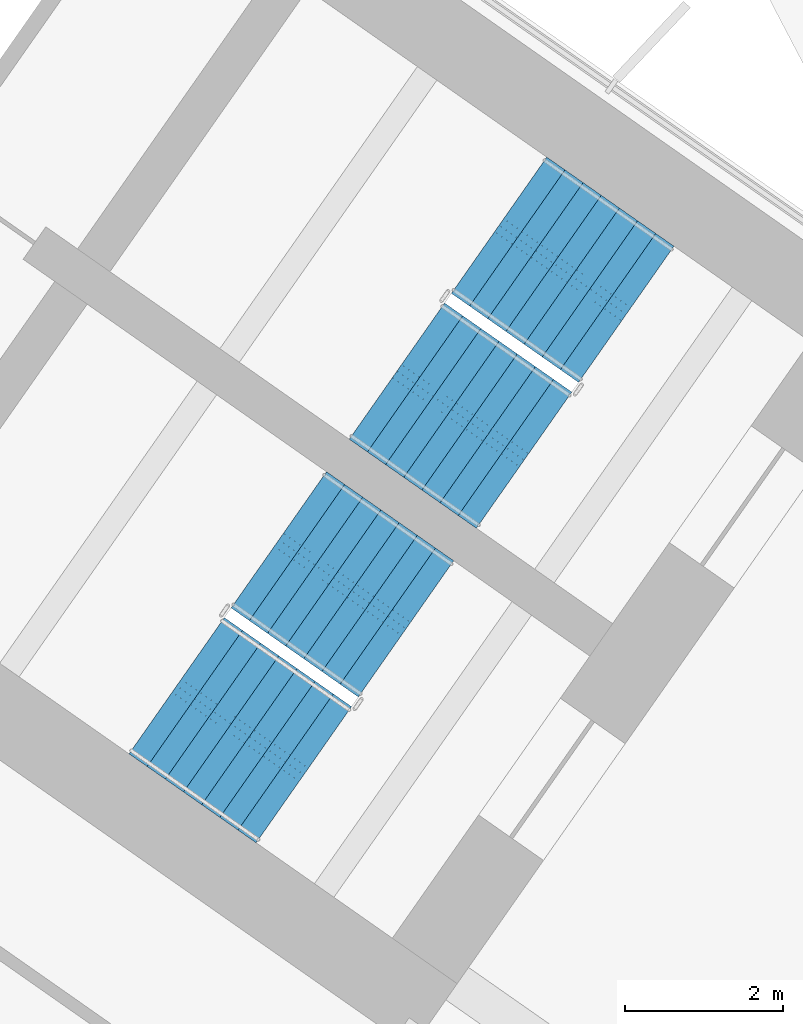
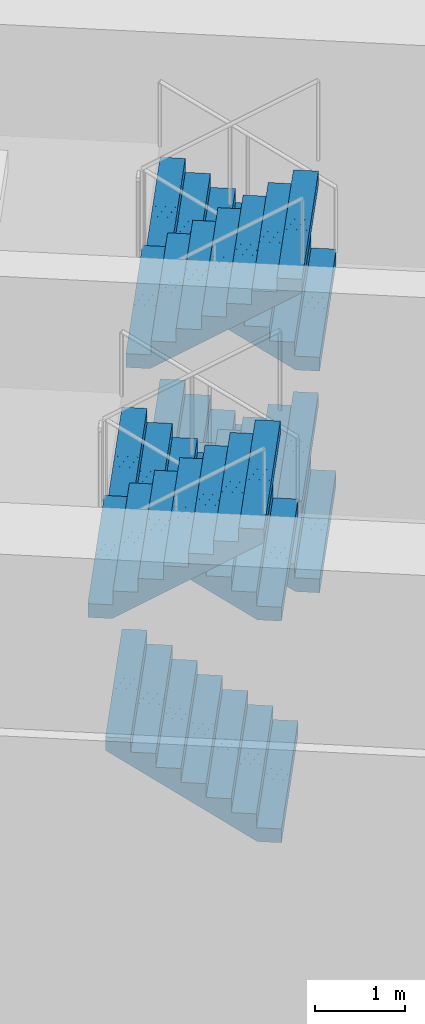
# One storey, part 21 of 27: 7 stair flights, 2 elements without a shape of their own.
"""IFC4 building model written with IfcOpenShell, lengths in metres."""

from ifc_helpers import new_model, si_unit, direction, frame, origin, place, context, subcontext, project, spatial, polyline, outline, extrude, material, type_object, element, aggregate, save


model = new_model("IFC4")

# Units and contexts
model_context = context("Model", 3, precision=1e-05, world=origin(), true_north=direction((0.0, 1.0)))
body_context = subcontext(model_context, "Body", "Model", "MODEL_VIEW")
ifc_project = project(units=[si_unit("LENGTHUNIT", "METRE"), si_unit("AREAUNIT", "SQUARE_METRE"), si_unit("VOLUMEUNIT", "CUBIC_METRE"), si_unit("PLANEANGLEUNIT", "RADIAN"), si_unit("MASSUNIT", "GRAM", prefix="KILO")], contexts=[model_context])

# Site, building, storey
site_placement = place(None, origin())
site = spatial("IfcSite", under=ifc_project, at=site_placement, CompositionType="ELEMENT")
building_placement = place(site_placement, origin())
building = spatial("IfcBuilding", under=site, at=building_placement, Name="Tel Ilan Convention Tower", CompositionType="ELEMENT")
storey_placement = place(building_placement, frame((0.0, 0.0, 48.5)))
storey = spatial("IfcBuildingStorey", under=building, at=storey_placement, Name="L07", CompositionType="ELEMENT", Elevation=48.5)

# Stair, stair flights
ifc_material_1 = material(Name="Concrete C40/50", Category="concrete")
stair_type = type_object("IfcStairType", Name="Pressurised Exit Stair 32 risers 188 mm", PredefinedType="HALF_TURN_STAIR", material=ifc_material_1)
stair_1_placement = place(storey_placement, origin())
stair_1 = element("IfcStair", 1, at=stair_1_placement, inside=storey, type_object=stair_type, Name="L07 Pressurised Stair S3", PredefinedType="HALF_TURN_STAIR")
ifc_material_2 = material(Name="Precast Concrete C40/50", Category="concrete")
stair_flight_type = type_object("IfcStairFlightType", Name="Concrete Stair Flight 2100 mm 32 risers 188 mm", PredefinedType="STRAIGHT", material=ifc_material_2)
stair_flight_1_placement = place(storey_placement, frame((24.25244140625, -7.032470703125, 0.0), z_axis=(0.0, 0.0, 1.0), x_axis=(-0.819152044289, 0.573576436351, 0.0)))
stair_flight_1 = element("IfcStairFlight", 2, at=stair_flight_1_placement, type_object=stair_flight_type, Name="S3 flight 1", NumberOfRisers=8, NumberOfTreads=7, PredefinedType="STRAIGHT", RiserHeight=0.1875, TreadLength=0.28, context=body_context, shape_type="SweptSolid", body=[
    extrude(outline(polyline([(0.0, 0.0), (0.0, 0.1875), (0.280029296875, 0.1875), (0.280029296875, 0.375), (0.56005859375, 0.375), (0.56005859375, 0.5625), (0.840087890625, 0.5625), (0.840087890625, 0.75), (1.1201171875, 0.75), (1.1201171875, 0.9375), (1.39990234375, 0.9375), (1.39990234375, 1.125), (1.679931640625, 1.125), (1.679931640625, 1.3125), (1.9599609375, 1.3125), (1.9599609375, 1.5), (1.9599609375, 1.132080078125), (0.26953125, 0.0), (0.0, 0.0)])), frame((0.0, -0.100341796875, 0.0), z_axis=(0.0, -1.0, 0.0), x_axis=(1.0, 0.0, 0.0)), (0.0, 0.0, 1.0), 0.94970703125),
    extrude(outline(polyline([(0.0, 0.0), (0.0, 0.1875), (0.280029296875, 0.1875), (0.280029296875, 0.375), (0.56005859375, 0.375), (0.56005859375, 0.5625), (0.840087890625, 0.5625), (0.840087890625, 0.75), (1.1201171875, 0.75), (1.1201171875, 0.9375), (1.39990234375, 0.9375), (1.39990234375, 1.125), (1.679931640625, 1.125), (1.679931640625, 1.3125), (1.9599609375, 1.3125), (1.9599609375, 1.5), (1.9599609375, 1.132080078125), (0.26953125, 0.0), (0.0, 0.0)])), frame((0.0, -0.000244140625, 0.0), z_axis=(0.0, -1.0, 0.0), x_axis=(1.0, 0.0, 0.0)), (0.0, 0.0, 1.0), 0.099609375),
    extrude(outline(polyline([(0.0, 0.0), (0.0, 0.1875), (0.280029296875, 0.1875), (0.280029296875, 0.375), (0.56005859375, 0.375), (0.56005859375, 0.5625), (0.840087890625, 0.5625), (0.840087890625, 0.75), (1.1201171875, 0.75), (1.1201171875, 0.9375), (1.39990234375, 0.9375), (1.39990234375, 1.125), (1.679931640625, 1.125), (1.679931640625, 1.3125), (1.9599609375, 1.3125), (1.9599609375, 1.5), (1.9599609375, 1.132080078125), (0.26953125, 0.0), (0.0, 0.0)])), frame((0.0, 0.099853515625, 0.0), z_axis=(0.0, -1.0, 0.0), x_axis=(1.0, 0.0, 0.0)), (0.0, 0.0, 1.0), 0.099609375),
    extrude(outline(polyline([(0.0, 0.0), (0.0, 0.1875), (0.280029296875, 0.1875), (0.280029296875, 0.375), (0.56005859375, 0.375), (0.56005859375, 0.5625), (0.840087890625, 0.5625), (0.840087890625, 0.75), (1.1201171875, 0.75), (1.1201171875, 0.9375), (1.39990234375, 0.9375), (1.39990234375, 1.125), (1.679931640625, 1.125), (1.679931640625, 1.3125), (1.9599609375, 1.3125), (1.9599609375, 1.5), (1.9599609375, 1.132080078125), (0.26953125, 0.0), (0.0, 0.0)])), frame((0.0, 1.050048828125, 0.0), z_axis=(0.0, -1.0, 0.0), x_axis=(1.0, 0.0, 0.0)), (0.0, 0.0, 1.0), 0.94970703125),
])
stair_flight_2_placement = place(storey_placement, frame((21.356201171875, -7.751220703125, 1.5), z_axis=(0.0, 0.0, 1.0), x_axis=(0.819152044289, -0.573576436351, 0.0)))
stair_flight_2 = element("IfcStairFlight", 3, at=stair_flight_2_placement, type_object=stair_flight_type, Name="S3 flight 2", NumberOfRisers=8, NumberOfTreads=7, PredefinedType="STRAIGHT", RiserHeight=0.1875, TreadLength=0.28, context=body_context, shape_type="SweptSolid", body=[
    extrude(outline(polyline([(0.0, 0.0), (0.0, 0.1875), (0.280029296875, 0.1875), (0.280029296875, 0.375), (0.56005859375, 0.375), (0.56005859375, 0.5625), (0.840087890625, 0.5625), (0.840087890625, 0.75), (1.1201171875, 0.75), (1.1201171875, 0.9375), (1.39990234375, 0.9375), (1.39990234375, 1.125), (1.679931640625, 1.125), (1.679931640625, 1.3125), (1.9599609375, 1.3125), (1.9599609375, 1.5), (1.9599609375, 1.132080078125), (0.26953125, 0.0), (0.0, 0.0)])), frame((0.0, -0.100341796875, 0.0), z_axis=(0.0, -1.0, 0.0), x_axis=(1.0, 0.0, 0.0)), (0.0, 0.0, 1.0), 0.94970703125),
    extrude(outline(polyline([(0.0, 0.0), (0.0, 0.1875), (0.280029296875, 0.1875), (0.280029296875, 0.375), (0.56005859375, 0.375), (0.56005859375, 0.5625), (0.840087890625, 0.5625), (0.840087890625, 0.75), (1.1201171875, 0.75), (1.1201171875, 0.9375), (1.39990234375, 0.9375), (1.39990234375, 1.125), (1.679931640625, 1.125), (1.679931640625, 1.3125), (1.9599609375, 1.3125), (1.9599609375, 1.5), (1.9599609375, 1.132080078125), (0.26953125, 0.0), (0.0, 0.0)])), frame((0.0, -0.000244140625, 0.0), z_axis=(0.0, -1.0, 0.0), x_axis=(1.0, 0.0, 0.0)), (0.0, 0.0, 1.0), 0.099609375),
    extrude(outline(polyline([(0.0, 0.0), (0.0, 0.1875), (0.280029296875, 0.1875), (0.280029296875, 0.375), (0.56005859375, 0.375), (0.56005859375, 0.5625), (0.840087890625, 0.5625), (0.840087890625, 0.75), (1.1201171875, 0.75), (1.1201171875, 0.9375), (1.39990234375, 0.9375), (1.39990234375, 1.125), (1.679931640625, 1.125), (1.679931640625, 1.3125), (1.9599609375, 1.3125), (1.9599609375, 1.5), (1.9599609375, 1.132080078125), (0.26953125, 0.0), (0.0, 0.0)])), frame((0.0, 0.099853515625, 0.0), z_axis=(0.0, -1.0, 0.0), x_axis=(1.0, 0.0, 0.0)), (0.0, 0.0, 1.0), 0.099609375),
    extrude(outline(polyline([(0.0, 0.0), (0.0, 0.1875), (0.280029296875, 0.1875), (0.280029296875, 0.375), (0.56005859375, 0.375), (0.56005859375, 0.5625), (0.840087890625, 0.5625), (0.840087890625, 0.75), (1.1201171875, 0.75), (1.1201171875, 0.9375), (1.39990234375, 0.9375), (1.39990234375, 1.125), (1.679931640625, 1.125), (1.679931640625, 1.3125), (1.9599609375, 1.3125), (1.9599609375, 1.5), (1.9599609375, 1.132080078125), (0.26953125, 0.0), (0.0, 0.0)])), frame((0.0, 1.050048828125, 0.0), z_axis=(0.0, -1.0, 0.0), x_axis=(1.0, 0.0, 0.0)), (0.0, 0.0, 1.0), 0.94970703125),
])
stair_flight_3_placement = place(storey_placement, frame((24.25244140625, -7.032470703125, 3.0), z_axis=(0.0, 0.0, 1.0), x_axis=(-0.819152044289, 0.573576436351, 0.0)))
stair_flight_3 = element("IfcStairFlight", 4, at=stair_flight_3_placement, type_object=stair_flight_type, Name="S3 flight 3", NumberOfRisers=8, NumberOfTreads=7, PredefinedType="STRAIGHT", RiserHeight=0.1875, TreadLength=0.28, context=body_context, shape_type="SweptSolid", body=[
    extrude(outline(polyline([(0.0, 0.0), (0.0, 0.1875), (0.280029296875, 0.1875), (0.280029296875, 0.375), (0.56005859375, 0.375), (0.56005859375, 0.5625), (0.840087890625, 0.5625), (0.840087890625, 0.75), (1.1201171875, 0.75), (1.1201171875, 0.9375), (1.39990234375, 0.9375), (1.39990234375, 1.125), (1.679931640625, 1.125), (1.679931640625, 1.3125), (1.9599609375, 1.3125), (1.9599609375, 1.5), (1.9599609375, 1.132080078125), (0.26953125, 0.0), (0.0, 0.0)])), frame((0.0, -0.100341796875, 0.0), z_axis=(0.0, -1.0, 0.0), x_axis=(1.0, 0.0, 0.0)), (0.0, 0.0, 1.0), 0.94970703125),
    extrude(outline(polyline([(0.0, 0.0), (0.0, 0.1875), (0.280029296875, 0.1875), (0.280029296875, 0.375), (0.56005859375, 0.375), (0.56005859375, 0.5625), (0.840087890625, 0.5625), (0.840087890625, 0.75), (1.1201171875, 0.75), (1.1201171875, 0.9375), (1.39990234375, 0.9375), (1.39990234375, 1.125), (1.679931640625, 1.125), (1.679931640625, 1.3125), (1.9599609375, 1.3125), (1.9599609375, 1.5), (1.9599609375, 1.132080078125), (0.26953125, 0.0), (0.0, 0.0)])), frame((0.0, -0.000244140625, 0.0), z_axis=(0.0, -1.0, 0.0), x_axis=(1.0, 0.0, 0.0)), (0.0, 0.0, 1.0), 0.099609375),
    extrude(outline(polyline([(0.0, 0.0), (0.0, 0.1875), (0.280029296875, 0.1875), (0.280029296875, 0.375), (0.56005859375, 0.375), (0.56005859375, 0.5625), (0.840087890625, 0.5625), (0.840087890625, 0.75), (1.1201171875, 0.75), (1.1201171875, 0.9375), (1.39990234375, 0.9375), (1.39990234375, 1.125), (1.679931640625, 1.125), (1.679931640625, 1.3125), (1.9599609375, 1.3125), (1.9599609375, 1.5), (1.9599609375, 1.132080078125), (0.26953125, 0.0), (0.0, 0.0)])), frame((0.0, 0.099853515625, 0.0), z_axis=(0.0, -1.0, 0.0), x_axis=(1.0, 0.0, 0.0)), (0.0, 0.0, 1.0), 0.099609375),
    extrude(outline(polyline([(0.0, 0.0), (0.0, 0.1875), (0.280029296875, 0.1875), (0.280029296875, 0.375), (0.56005859375, 0.375), (0.56005859375, 0.5625), (0.840087890625, 0.5625), (0.840087890625, 0.75), (1.1201171875, 0.75), (1.1201171875, 0.9375), (1.39990234375, 0.9375), (1.39990234375, 1.125), (1.679931640625, 1.125), (1.679931640625, 1.3125), (1.9599609375, 1.3125), (1.9599609375, 1.5), (1.9599609375, 1.132080078125), (0.26953125, 0.0), (0.0, 0.0)])), frame((0.0, 1.050048828125, 0.0), z_axis=(0.0, -1.0, 0.0), x_axis=(1.0, 0.0, 0.0)), (0.0, 0.0, 1.0), 0.94970703125),
])
stair_flight_4_placement = place(storey_placement, frame((21.356201171875, -7.751220703125, 4.5), z_axis=(0.0, 0.0, 1.0), x_axis=(0.819152044289, -0.573576436351, 0.0)))
stair_flight_4 = element("IfcStairFlight", 5, at=stair_flight_4_placement, type_object=stair_flight_type, Name="S3 flight 4", NumberOfRisers=8, NumberOfTreads=7, PredefinedType="STRAIGHT", RiserHeight=0.1875, TreadLength=0.28, context=body_context, shape_type="SweptSolid", body=[
    extrude(outline(polyline([(0.0, 0.0), (0.0, 0.1875), (0.280029296875, 0.1875), (0.280029296875, 0.375), (0.56005859375, 0.375), (0.56005859375, 0.5625), (0.840087890625, 0.5625), (0.840087890625, 0.75), (1.1201171875, 0.75), (1.1201171875, 0.9375), (1.39990234375, 0.9375), (1.39990234375, 1.125), (1.679931640625, 1.125), (1.679931640625, 1.3125), (1.9599609375, 1.3125), (1.9599609375, 1.5), (1.9599609375, 1.132080078125), (0.26953125, 0.0), (0.0, 0.0)])), frame((0.0, -0.100341796875, 0.0), z_axis=(0.0, -1.0, 0.0), x_axis=(1.0, 0.0, 0.0)), (0.0, 0.0, 1.0), 0.94970703125),
    extrude(outline(polyline([(0.0, 0.0), (0.0, 0.1875), (0.280029296875, 0.1875), (0.280029296875, 0.375), (0.56005859375, 0.375), (0.56005859375, 0.5625), (0.840087890625, 0.5625), (0.840087890625, 0.75), (1.1201171875, 0.75), (1.1201171875, 0.9375), (1.39990234375, 0.9375), (1.39990234375, 1.125), (1.679931640625, 1.125), (1.679931640625, 1.3125), (1.9599609375, 1.3125), (1.9599609375, 1.5), (1.9599609375, 1.132080078125), (0.26953125, 0.0), (0.0, 0.0)])), frame((0.0, -0.000244140625, 0.0), z_axis=(0.0, -1.0, 0.0), x_axis=(1.0, 0.0, 0.0)), (0.0, 0.0, 1.0), 0.099609375),
    extrude(outline(polyline([(0.0, 0.0), (0.0, 0.1875), (0.280029296875, 0.1875), (0.280029296875, 0.375), (0.56005859375, 0.375), (0.56005859375, 0.5625), (0.840087890625, 0.5625), (0.840087890625, 0.75), (1.1201171875, 0.75), (1.1201171875, 0.9375), (1.39990234375, 0.9375), (1.39990234375, 1.125), (1.679931640625, 1.125), (1.679931640625, 1.3125), (1.9599609375, 1.3125), (1.9599609375, 1.5), (1.9599609375, 1.132080078125), (0.26953125, 0.0), (0.0, 0.0)])), frame((0.0, 0.099853515625, 0.0), z_axis=(0.0, -1.0, 0.0), x_axis=(1.0, 0.0, 0.0)), (0.0, 0.0, 1.0), 0.099609375),
    extrude(outline(polyline([(0.0, 0.0), (0.0, 0.1875), (0.280029296875, 0.1875), (0.280029296875, 0.375), (0.56005859375, 0.375), (0.56005859375, 0.5625), (0.840087890625, 0.5625), (0.840087890625, 0.75), (1.1201171875, 0.75), (1.1201171875, 0.9375), (1.39990234375, 0.9375), (1.39990234375, 1.125), (1.679931640625, 1.125), (1.679931640625, 1.3125), (1.9599609375, 1.3125), (1.9599609375, 1.5), (1.9599609375, 1.132080078125), (0.26953125, 0.0), (0.0, 0.0)])), frame((0.0, 1.050048828125, 0.0), z_axis=(0.0, -1.0, 0.0), x_axis=(1.0, 0.0, 0.0)), (0.0, 0.0, 1.0), 0.94970703125),
])
aggregate(stair_1, [stair_flight_1, stair_flight_2, stair_flight_3, stair_flight_4])

stair_2_placement = place(storey_placement, origin())
stair_2 = element("IfcStair", 6, at=stair_2_placement, inside=storey, type_object=stair_type, Name="L07 Pressurised Stair S4", PredefinedType="HALF_TURN_STAIR")
stair_flight_5_placement = place(storey_placement, frame((21.470458984375, -11.00537109375, 0.0), z_axis=(0.0, 0.0, 1.0), x_axis=(-0.819152044289, 0.573576436351, 0.0)))
stair_flight_5 = element("IfcStairFlight", 7, at=stair_flight_5_placement, type_object=stair_flight_type, Name="S4 flight 1", NumberOfRisers=8, NumberOfTreads=7, PredefinedType="STRAIGHT", RiserHeight=0.1875, TreadLength=0.28, context=body_context, shape_type="SweptSolid", body=[
    extrude(outline(polyline([(0.0, 0.0), (0.0, 0.1875), (0.280029296875, 0.1875), (0.280029296875, 0.375), (0.56005859375, 0.375), (0.56005859375, 0.5625), (0.840087890625, 0.5625), (0.840087890625, 0.75), (1.1201171875, 0.75), (1.1201171875, 0.9375), (1.39990234375, 0.9375), (1.39990234375, 1.125), (1.679931640625, 1.125), (1.679931640625, 1.3125), (1.9599609375, 1.3125), (1.9599609375, 1.5), (1.9599609375, 1.132080078125), (0.26953125, 0.0), (0.0, 0.0)])), frame((0.0, -0.100341796875, 0.0), z_axis=(0.0, -1.0, 0.0), x_axis=(1.0, 0.0, 0.0)), (0.0, 0.0, 1.0), 0.94970703125),
    extrude(outline(polyline([(0.0, 0.0), (0.0, 0.1875), (0.280029296875, 0.1875), (0.280029296875, 0.375), (0.56005859375, 0.375), (0.56005859375, 0.5625), (0.840087890625, 0.5625), (0.840087890625, 0.75), (1.1201171875, 0.75), (1.1201171875, 0.9375), (1.39990234375, 0.9375), (1.39990234375, 1.125), (1.679931640625, 1.125), (1.679931640625, 1.3125), (1.9599609375, 1.3125), (1.9599609375, 1.5), (1.9599609375, 1.132080078125), (0.26953125, 0.0), (0.0, 0.0)])), frame((0.0, -0.000244140625, 0.0), z_axis=(0.0, -1.0, 0.0), x_axis=(1.0, 0.0, 0.0)), (0.0, 0.0, 1.0), 0.099609375),
    extrude(outline(polyline([(0.0, 0.0), (0.0, 0.1875), (0.280029296875, 0.1875), (0.280029296875, 0.375), (0.56005859375, 0.375), (0.56005859375, 0.5625), (0.840087890625, 0.5625), (0.840087890625, 0.75), (1.1201171875, 0.75), (1.1201171875, 0.9375), (1.39990234375, 0.9375), (1.39990234375, 1.125), (1.679931640625, 1.125), (1.679931640625, 1.3125), (1.9599609375, 1.3125), (1.9599609375, 1.5), (1.9599609375, 1.132080078125), (0.26953125, 0.0), (0.0, 0.0)])), frame((0.0, 0.099853515625, 0.0), z_axis=(0.0, -1.0, 0.0), x_axis=(1.0, 0.0, 0.0)), (0.0, 0.0, 1.0), 0.099609375),
    extrude(outline(polyline([(0.0, 0.0), (0.0, 0.1875), (0.280029296875, 0.1875), (0.280029296875, 0.375), (0.56005859375, 0.375), (0.56005859375, 0.5625), (0.840087890625, 0.5625), (0.840087890625, 0.75), (1.1201171875, 0.75), (1.1201171875, 0.9375), (1.39990234375, 0.9375), (1.39990234375, 1.125), (1.679931640625, 1.125), (1.679931640625, 1.3125), (1.9599609375, 1.3125), (1.9599609375, 1.5), (1.9599609375, 1.132080078125), (0.26953125, 0.0), (0.0, 0.0)])), frame((0.0, 1.050048828125, 0.0), z_axis=(0.0, -1.0, 0.0), x_axis=(1.0, 0.0, 0.0)), (0.0, 0.0, 1.0), 0.94970703125),
])
stair_flight_6_placement = place(storey_placement, frame((21.470458984375, -11.00537109375, 3.0), z_axis=(0.0, 0.0, 1.0), x_axis=(-0.819152044289, 0.573576436351, 0.0)))
stair_flight_6 = element("IfcStairFlight", 8, at=stair_flight_6_placement, type_object=stair_flight_type, Name="S4 flight 3", NumberOfRisers=8, NumberOfTreads=7, PredefinedType="STRAIGHT", RiserHeight=0.1875, TreadLength=0.28, context=body_context, shape_type="SweptSolid", body=[
    extrude(outline(polyline([(0.0, 0.0), (0.0, 0.1875), (0.280029296875, 0.1875), (0.280029296875, 0.375), (0.56005859375, 0.375), (0.56005859375, 0.5625), (0.840087890625, 0.5625), (0.840087890625, 0.75), (1.1201171875, 0.75), (1.1201171875, 0.9375), (1.39990234375, 0.9375), (1.39990234375, 1.125), (1.679931640625, 1.125), (1.679931640625, 1.3125), (1.9599609375, 1.3125), (1.9599609375, 1.5), (1.9599609375, 1.132080078125), (0.26953125, 0.0), (0.0, 0.0)])), frame((0.0, -0.100341796875, 0.0), z_axis=(0.0, -1.0, 0.0), x_axis=(1.0, 0.0, 0.0)), (0.0, 0.0, 1.0), 0.94970703125),
    extrude(outline(polyline([(0.0, 0.0), (0.0, 0.1875), (0.280029296875, 0.1875), (0.280029296875, 0.375), (0.56005859375, 0.375), (0.56005859375, 0.5625), (0.840087890625, 0.5625), (0.840087890625, 0.75), (1.1201171875, 0.75), (1.1201171875, 0.9375), (1.39990234375, 0.9375), (1.39990234375, 1.125), (1.679931640625, 1.125), (1.679931640625, 1.3125), (1.9599609375, 1.3125), (1.9599609375, 1.5), (1.9599609375, 1.132080078125), (0.26953125, 0.0), (0.0, 0.0)])), frame((0.0, -0.000244140625, 0.0), z_axis=(0.0, -1.0, 0.0), x_axis=(1.0, 0.0, 0.0)), (0.0, 0.0, 1.0), 0.099609375),
    extrude(outline(polyline([(0.0, 0.0), (0.0, 0.1875), (0.280029296875, 0.1875), (0.280029296875, 0.375), (0.56005859375, 0.375), (0.56005859375, 0.5625), (0.840087890625, 0.5625), (0.840087890625, 0.75), (1.1201171875, 0.75), (1.1201171875, 0.9375), (1.39990234375, 0.9375), (1.39990234375, 1.125), (1.679931640625, 1.125), (1.679931640625, 1.3125), (1.9599609375, 1.3125), (1.9599609375, 1.5), (1.9599609375, 1.132080078125), (0.26953125, 0.0), (0.0, 0.0)])), frame((0.0, 0.099853515625, 0.0), z_axis=(0.0, -1.0, 0.0), x_axis=(1.0, 0.0, 0.0)), (0.0, 0.0, 1.0), 0.099609375),
    extrude(outline(polyline([(0.0, 0.0), (0.0, 0.1875), (0.280029296875, 0.1875), (0.280029296875, 0.375), (0.56005859375, 0.375), (0.56005859375, 0.5625), (0.840087890625, 0.5625), (0.840087890625, 0.75), (1.1201171875, 0.75), (1.1201171875, 0.9375), (1.39990234375, 0.9375), (1.39990234375, 1.125), (1.679931640625, 1.125), (1.679931640625, 1.3125), (1.9599609375, 1.3125), (1.9599609375, 1.5), (1.9599609375, 1.132080078125), (0.26953125, 0.0), (0.0, 0.0)])), frame((0.0, 1.050048828125, 0.0), z_axis=(0.0, -1.0, 0.0), x_axis=(1.0, 0.0, 0.0)), (0.0, 0.0, 1.0), 0.94970703125),
])
stair_flight_7_placement = place(storey_placement, frame((18.574462890625, -11.72412109375, 4.5), z_axis=(0.0, 0.0, 1.0), x_axis=(0.819152044289, -0.573576436351, 0.0)))
stair_flight_7 = element("IfcStairFlight", 9, at=stair_flight_7_placement, type_object=stair_flight_type, Name="S4 flight 4", NumberOfRisers=8, NumberOfTreads=7, PredefinedType="STRAIGHT", RiserHeight=0.1875, TreadLength=0.28, context=body_context, shape_type="SweptSolid", body=[
    extrude(outline(polyline([(0.0, 0.0), (0.0, 0.1875), (0.280029296875, 0.1875), (0.280029296875, 0.375), (0.56005859375, 0.375), (0.56005859375, 0.5625), (0.840087890625, 0.5625), (0.840087890625, 0.75), (1.1201171875, 0.75), (1.1201171875, 0.9375), (1.39990234375, 0.9375), (1.39990234375, 1.125), (1.679931640625, 1.125), (1.679931640625, 1.3125), (1.9599609375, 1.3125), (1.9599609375, 1.5), (1.9599609375, 1.132080078125), (0.26953125, 0.0), (0.0, 0.0)])), frame((0.0, -0.100341796875, 0.0), z_axis=(0.0, -1.0, 0.0), x_axis=(1.0, 0.0, 0.0)), (0.0, 0.0, 1.0), 0.94970703125),
    extrude(outline(polyline([(0.0, 0.0), (0.0, 0.1875), (0.280029296875, 0.1875), (0.280029296875, 0.375), (0.56005859375, 0.375), (0.56005859375, 0.5625), (0.840087890625, 0.5625), (0.840087890625, 0.75), (1.1201171875, 0.75), (1.1201171875, 0.9375), (1.39990234375, 0.9375), (1.39990234375, 1.125), (1.679931640625, 1.125), (1.679931640625, 1.3125), (1.9599609375, 1.3125), (1.9599609375, 1.5), (1.9599609375, 1.132080078125), (0.26953125, 0.0), (0.0, 0.0)])), frame((0.0, -0.000244140625, 0.0), z_axis=(0.0, -1.0, 0.0), x_axis=(1.0, 0.0, 0.0)), (0.0, 0.0, 1.0), 0.099609375),
    extrude(outline(polyline([(0.0, 0.0), (0.0, 0.1875), (0.280029296875, 0.1875), (0.280029296875, 0.375), (0.56005859375, 0.375), (0.56005859375, 0.5625), (0.840087890625, 0.5625), (0.840087890625, 0.75), (1.1201171875, 0.75), (1.1201171875, 0.9375), (1.39990234375, 0.9375), (1.39990234375, 1.125), (1.679931640625, 1.125), (1.679931640625, 1.3125), (1.9599609375, 1.3125), (1.9599609375, 1.5), (1.9599609375, 1.132080078125), (0.26953125, 0.0), (0.0, 0.0)])), frame((0.0, 0.099853515625, 0.0), z_axis=(0.0, -1.0, 0.0), x_axis=(1.0, 0.0, 0.0)), (0.0, 0.0, 1.0), 0.099609375),
    extrude(outline(polyline([(0.0, 0.0), (0.0, 0.1875), (0.280029296875, 0.1875), (0.280029296875, 0.375), (0.56005859375, 0.375), (0.56005859375, 0.5625), (0.840087890625, 0.5625), (0.840087890625, 0.75), (1.1201171875, 0.75), (1.1201171875, 0.9375), (1.39990234375, 0.9375), (1.39990234375, 1.125), (1.679931640625, 1.125), (1.679931640625, 1.3125), (1.9599609375, 1.3125), (1.9599609375, 1.5), (1.9599609375, 1.132080078125), (0.26953125, 0.0), (0.0, 0.0)])), frame((0.0, 1.050048828125, 0.0), z_axis=(0.0, -1.0, 0.0), x_axis=(1.0, 0.0, 0.0)), (0.0, 0.0, 1.0), 0.94970703125),
])
aggregate(stair_2, [stair_flight_5, stair_flight_6, stair_flight_7])

save(model, "model.ifc")
